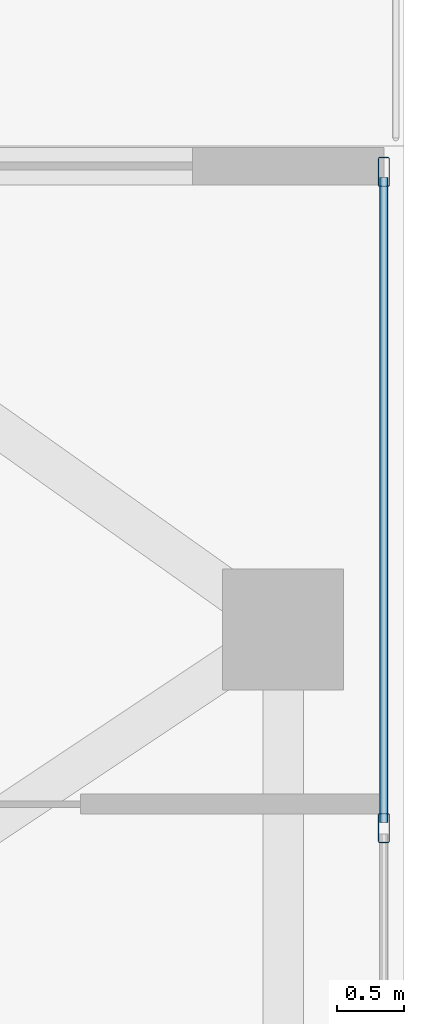
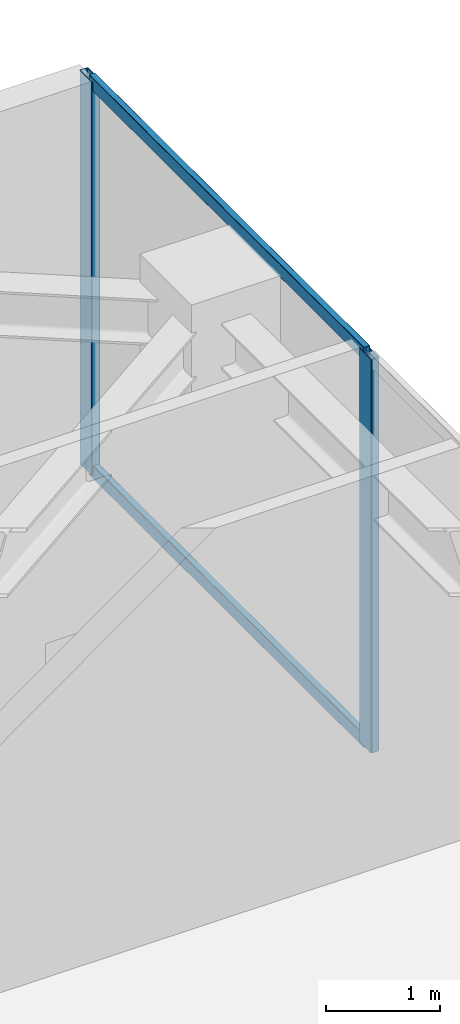
# One storey, part 21 of 33: 4 members, 1 element without a shape of its own.
"""IFC4 building model written with IfcOpenShell, lengths in metres."""

from ifc_helpers import new_model, si_unit, direction, frame, origin, origin_2d, place, context, subcontext, project, spatial, hollow_rectangle, extrude, material, layer, layer_set, material_profile, profile_set, type_object, element, aggregate, save


model = new_model("IFC4")

# Units and contexts
model_context = context("Model", 3, precision=1e-05, world=origin(), true_north=direction((0.0, 1.0)))
body_context = subcontext(model_context, "Body", "Model", "MODEL_VIEW")
ifc_project = project(units=[si_unit("LENGTHUNIT", "METRE"), si_unit("AREAUNIT", "SQUARE_METRE"), si_unit("VOLUMEUNIT", "CUBIC_METRE"), si_unit("PLANEANGLEUNIT", "RADIAN"), si_unit("MASSUNIT", "GRAM", prefix="KILO")], contexts=[model_context])

# Site, building, storey
site_placement = place(None, origin())
site = spatial("IfcSite", under=ifc_project, at=site_placement, CompositionType="ELEMENT")
building_placement = place(site_placement, origin())
building = spatial("IfcBuilding", under=site, at=building_placement, Name="Tarnavaz Court Tower", CompositionType="ELEMENT")
storey_placement = place(building_placement, frame((0.0, 0.0, 172.800048828125)))
storey = spatial("IfcBuildingStorey", under=building, at=storey_placement, Name="L47", CompositionType="ELEMENT", Elevation=172.800048828125)

# Curtain wall, members
ifc_material_1 = material(Name="Anodised Aluminium 6063-T6 and Solar Low-E Glazing", Category="aluminium")
ifc_layer = layer(ifc_material_1, 0.199951171875)
ifc_layer_set = layer_set([ifc_layer], Name="Anodised Aluminium 6063-T6 and Solar Low-E Glazing")
curtain_wall_type = type_object("IfcCurtainWallType", Name="CW-SYS-05", PredefinedType="NOTDEFINED", material=ifc_layer_set)
curtain_wall_placement = place(storey_placement, origin())
curtain_wall = element("IfcCurtainWall", 1, at=curtain_wall_placement, inside=storey, type_object=curtain_wall_type, Name="L47 Sky-Portal Curtain Wall 12", PredefinedType="NOTDEFINED")
ifc_material_2 = material(Name="Anodised Aluminium 6063-T6", Category="aluminium")
ifc_material_profile_1 = material_profile(ifc_material_2, hollow_rectangle(XDim=0.0849609375, YDim=0.219970703125, WallThickness=0.006103515625, InnerFilletRadius=0.006103515625, OuterFilletRadius=0.011962890625, at=origin_2d()), Name="ALU RHS 220X85X6")
ifc_profile_set_1 = profile_set([ifc_material_profile_1], Name="Anodised Aluminium 6063-T6")
member_type_1 = type_object("IfcMemberType", Name="CW-MUL-220", PredefinedType="MULLION", material=ifc_profile_set_1)
member_1_placement = place(storey_placement, frame((25.050048828125, 17.20751953125, 0.0), z_axis=(0.0, 0.0, 1.0), x_axis=(1.0, 0.0, 0.0)))
member_1 = element("IfcMember", 2, at=member_1_placement, type_object=member_type_1, Name="CW mullion 1", PredefinedType="MULLION", context=body_context, shape_type="SweptSolid", body=[
    extrude(hollow_rectangle(XDim=0.0849609375, YDim=0.219970703125, WallThickness=0.006103515625, InnerFilletRadius=0.006103515625, OuterFilletRadius=0.011962890625, at=origin_2d()), origin(), (0.0, 0.0, 1.0), 4.199951171875),
])
member_2_placement = place(storey_placement, frame((25.050048828125, 12.321533203125, 0.0), z_axis=(0.0, 0.0, 1.0), x_axis=(1.0, 0.0, 0.0)))
member_2 = element("IfcMember", 3, at=member_2_placement, type_object=member_type_1, Name="CW mullion 2", PredefinedType="MULLION", context=body_context, shape_type="SweptSolid", body=[
    extrude(hollow_rectangle(XDim=0.0849609375, YDim=0.219970703125, WallThickness=0.006103515625, InnerFilletRadius=0.006103515625, OuterFilletRadius=0.011962890625, at=origin_2d()), origin(), (0.0, 0.0, 1.0), 4.199951171875),
])
ifc_material_profile_2 = material_profile(ifc_material_2, hollow_rectangle(XDim=0.06494140625, YDim=0.139892578125, WallThickness=0.00390625, InnerFilletRadius=0.00390625, OuterFilletRadius=0.008056640625, at=origin_2d()), Name="ALU RHS 140X65X4")
ifc_profile_set_2 = profile_set([ifc_material_profile_2], Name="Anodised Aluminium 6063-T6")
member_type_2 = type_object("IfcMemberType", Name="CW-TRN-140", PredefinedType="USERDEFINED", material=ifc_profile_set_2)
member_3_placement = place(storey_placement, frame((25.050048828125, 17.1650390625, 0.032470703125), z_axis=(0.0, -1.0, 0.0), x_axis=(1.0, 0.0, 0.0)))
member_3 = element("IfcMember", 4, at=member_3_placement, type_object=member_type_2, Name="CW transom 1.1", ObjectType="TRANSOM", PredefinedType="USERDEFINED", context=body_context, shape_type="SweptSolid", body=[
    extrude(hollow_rectangle(XDim=0.06494140625, YDim=0.139892578125, WallThickness=0.00390625, InnerFilletRadius=0.00390625, OuterFilletRadius=0.008056640625, at=origin_2d()), origin(), (0.0, 0.0, 1.0), 4.801025390625),
])
member_4_placement = place(storey_placement, frame((25.050048828125, 17.1650390625, 4.16748046875), z_axis=(0.0, -1.0, 0.0), x_axis=(1.0, 0.0, 0.0)))
member_4 = element("IfcMember", 5, at=member_4_placement, type_object=member_type_2, Name="CW transom 1.2", ObjectType="TRANSOM", PredefinedType="USERDEFINED", context=body_context, shape_type="SweptSolid", body=[
    extrude(hollow_rectangle(XDim=0.06494140625, YDim=0.139892578125, WallThickness=0.00390625, InnerFilletRadius=0.00390625, OuterFilletRadius=0.008056640625, at=origin_2d()), origin(), (0.0, 0.0, 1.0), 4.801025390625),
])
aggregate(curtain_wall, [member_1, member_2, member_3, member_4])

save(model, "model.ifc")
